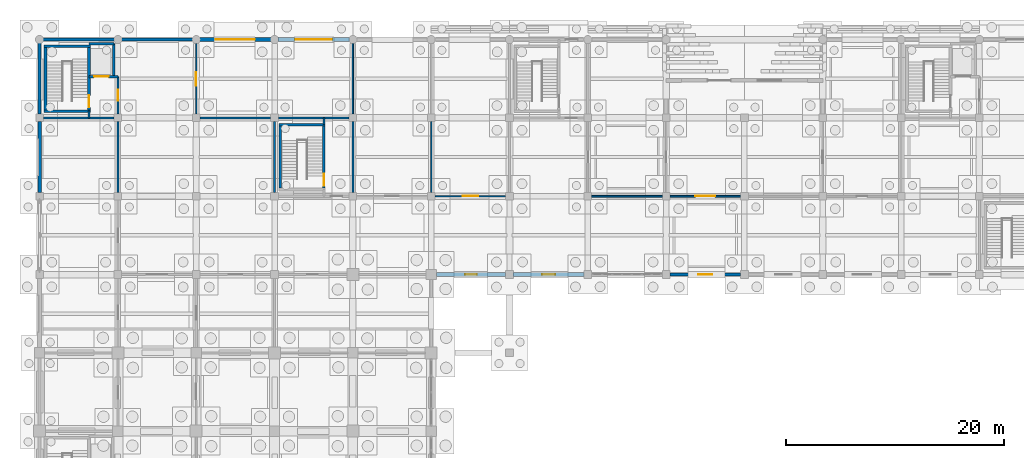
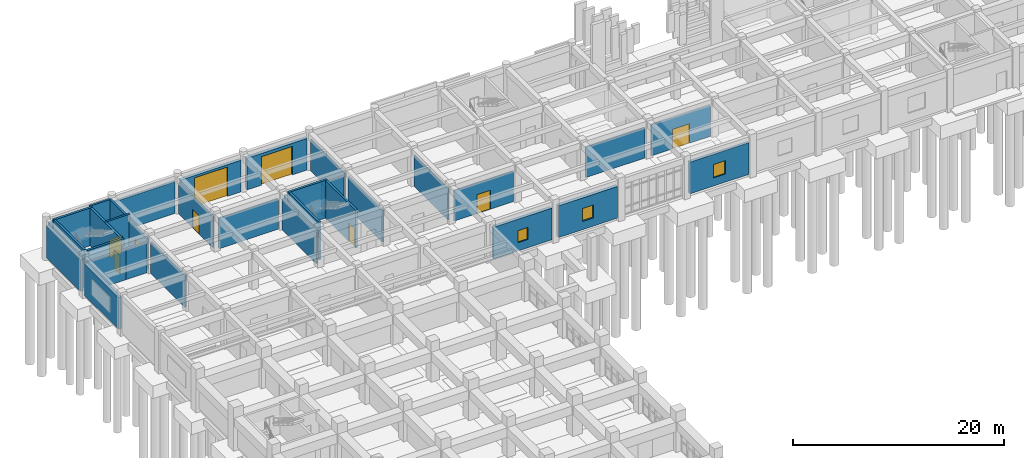
# One storey, part 62 of 79: 36 walls, 9 doors, 3 windows, 12 openings.
"""IFC4 building model written with IfcOpenShell, lengths in metres."""

from ifc_helpers import new_model, si_unit, direction, frame, frame_2d, origin, place, context, subcontext, project, spatial, rectangle, extrude, material, layer, layer_set, type_object, element, fill, save


model = new_model("IFC4")

# Units and contexts
model_context = context("Model", 3, precision=1e-05, world=origin(), true_north=direction((0.0, 1.0)))
body_context = subcontext(model_context, "Body", "Model", "MODEL_VIEW")
ifc_project = project(units=[si_unit("LENGTHUNIT", "METRE"), si_unit("AREAUNIT", "SQUARE_METRE"), si_unit("VOLUMEUNIT", "CUBIC_METRE"), si_unit("PLANEANGLEUNIT", "RADIAN"), si_unit("MASSUNIT", "GRAM", prefix="KILO")], contexts=[model_context])

# Site, building, storey
site_placement = place(None, origin())
site = spatial("IfcSite", under=ifc_project, at=site_placement, CompositionType="ELEMENT")
building_placement = place(site_placement, origin())
building = spatial("IfcBuilding", under=site, at=building_placement, Name="Kavelor Marine Aquarium", CompositionType="ELEMENT")
storey_placement = place(building_placement, origin())
storey = spatial("IfcBuildingStorey", under=building, at=storey_placement, Name="L00", CompositionType="ELEMENT", Elevation=0.0)

# Wall, opening, door
ifc_material_1 = material(Name="Concrete C45/55", Category="concrete")
ifc_layer_1 = layer(ifc_material_1, 0.360107421875)
ifc_layer_set_1 = layer_set([ifc_layer_1], Name="WL-EX1")
wall_type_1 = type_object("IfcWallType", Name="WL-EX1", PredefinedType="STANDARD", material=ifc_layer_set_1)
wall_1_placement = place(storey_placement, frame((25.110107421875, 110.800048828125, 0.0), z_axis=(0.0, 0.0, 1.0), x_axis=(1.0, 0.0, 0.0)))
wall_1 = element("IfcWall", 1, at=wall_1_placement, inside=storey, type_object=wall_type_1, Name="ew:x:L00:03_15", PredefinedType="STANDARD", context=body_context, shape_type="SweptSolid", body=[
    extrude(rectangle(XDim=6.579833984375, YDim=0.360107421875, at=frame_2d((3.2900390625, 0.0))), origin(), (0.0, 0.0, 1.0), 3.669921875),
])
opening_1_placement = place(wall_1_placement, frame((1.590087890625, 0.0, 0.0)))
opening_1 = element("IfcOpeningElement", 2, at=opening_1_placement, cuts=wall_1, Name="Opening SH2", PredefinedType="OPENING", context=body_context, shape_type="SweptSolid", body=[
    extrude(rectangle(XDim=3.39990234375, YDim=3.300048828125, at=frame_2d((1.699951171875, 1.64990234375))), frame((0.0, 0.18994140625, 0.0), z_axis=(0.0, -1.0, 0.0), x_axis=(1.0, 0.0, 0.0)), (0.0, 0.0, 1.0), 0.380107),
])
ifc_material_2 = material(Name="Marine-Grade Anodised Aluminium and Laminated Safety Glass", Category="aluminium")
door_type_1 = type_object("IfcDoorType", Name="DR-SH2", OperationType="NOTDEFINED", PredefinedType="DOOR", material=ifc_material_2)
door_1_placement = place(opening_1_placement, origin())
door_1 = element("IfcDoor", 3, at=door_1_placement, inside=storey, type_object=door_type_1, Name="Husbandry Loading Bay Roller Shutter SH2", OperationType="ROLLINGUP", OverallHeight=3.300048828125, OverallWidth=3.39990234375, PredefinedType="DOOR", context=body_context, shape_type="SweptSolid", body=[
    extrude(rectangle(XDim=3.39990234375, YDim=3.300048828125, at=frame_2d((1.699951171875, 1.64990234375))), frame((0.0, 0.02490234375, 0.0), z_axis=(0.0, -1.0, 0.0), x_axis=(1.0, 0.0, 0.0)), (0.0, 0.0, 1.0), 0.050048828125),
])
fill(opening_1, door_1)

# Wall, opening, window
wall_2_placement = place(storey_placement, frame((53.2548828125, 89.199951171875, 0.0), z_axis=(0.0, 0.0, 1.0), x_axis=(-1.0, 0.0, 0.0)))
wall_2 = element("IfcWall", 4, at=wall_2_placement, inside=storey, type_object=wall_type_1, Name="ew:x:L00:06_12", PredefinedType="STANDARD", context=body_context, shape_type="SweptSolid", body=[
    extrude(rectangle(XDim=6.509765625, YDim=0.360107421875, at=frame_2d((3.2548828125, 0.0))), origin(), (0.0, 0.0, 1.0), 3.669921875),
])
opening_2_placement = place(wall_2_placement, frame((2.655029296875, 0.0, 0.949951171875)))
opening_2 = element("IfcOpeningElement", 5, at=opening_2_placement, cuts=wall_2, Name="Opening W02", PredefinedType="OPENING", context=body_context, shape_type="SweptSolid", body=[
    extrude(rectangle(XDim=1.199951171875, YDim=1.5, at=frame_2d((0.60009765625, 0.75))), frame((0.0, 0.18994140625, 0.0), z_axis=(0.0, -1.0, 0.0), x_axis=(1.0, 0.0, 0.0)), (0.0, 0.0, 1.0), 0.380107),
])
ifc_material_3 = material(Name="Anodised Aluminium Frame with Low-E Double Glazing", Category="aluminium")
window_type_1 = type_object("IfcWindowType", Name="WIN-W02", PartitioningType="SINGLE_PANEL", PredefinedType="WINDOW", material=ifc_material_3)
window_1_placement = place(opening_2_placement, origin())
window_1 = element("IfcWindow", 6, at=window_1_placement, inside=storey, type_object=window_type_1, Name="win:x:L00:06_12", OverallHeight=1.5, OverallWidth=1.199951171875, PartitioningType="SINGLE_PANEL", PredefinedType="WINDOW", context=body_context, shape_type="SweptSolid", body=[
    extrude(rectangle(XDim=1.199951171875, YDim=1.5, at=frame_2d((0.60009765625, 0.75))), frame((0.0, 0.030029296875, 0.0), z_axis=(0.0, -1.0, 0.0), x_axis=(1.0, 0.0, 0.0)), (0.0, 0.0, 1.0), 0.06005859375),
])
fill(opening_2, window_1)

# Wall
ifc_material_4 = material(Name="Concrete C45/55", Category="concrete")
ifc_layer_2 = layer(ifc_material_4, 0.320068359375)
ifc_layer_set_2 = layer_set([ifc_layer_2], Name="WL-EX2")
wall_type_2 = type_object("IfcWallType", Name="WL-EX2", PredefinedType="STANDARD", material=ifc_layer_set_2)
wall_3_placement = place(storey_placement, frame((3.199951171875, 96.7451171875, 0.0), z_axis=(0.0, 0.0, 1.0), x_axis=(0.0, 1.0, 0.0)))
element("IfcWall", 7, at=wall_3_placement, inside=storey, type_object=wall_type_2, Name="ew:y:L00:00_13", PredefinedType="STANDARD", context=body_context, shape_type="SweptSolid", body=[
    extrude(rectangle(XDim=6.509765625, YDim=0.320068359375, at=frame_2d((3.2548828125, 0.0))), origin(), (0.0, 0.0, 1.0), 3.669921875),
])

# Wall, opening, window
ifc_material_5 = material(Name="Concrete C40/50", Category="concrete")
ifc_layer_3 = layer(ifc_material_5, 0.300048828125)
ifc_layer_set_3 = layer_set([ifc_layer_3], Name="WL-EX3")
wall_type_3 = type_object("IfcWallType", Name="WL-EX3", PredefinedType="STANDARD", material=ifc_layer_set_3)
wall_4_placement = place(storey_placement, frame((67.655029296875, 89.199951171875, 0.0), z_axis=(0.0, 0.0, 1.0), x_axis=(-1.0, 0.0, 0.0)))
wall_4 = element("IfcWall", 8, at=wall_4_placement, inside=storey, type_object=wall_type_3, Name="ew:x:L00:08_12", PredefinedType="STANDARD", context=body_context, shape_type="SweptSolid", body=[
    extrude(rectangle(XDim=6.510009765625, YDim=0.300048828125, at=frame_2d((3.2548828125, 0.0))), origin(), (0.0, 0.0, 1.0), 3.669921875),
])
opening_3_placement = place(wall_4_placement, frame((2.60498046875, 0.0, 0.949951171875)))
opening_3 = element("IfcOpeningElement", 9, at=opening_3_placement, cuts=wall_4, Name="Opening W03", PredefinedType="OPENING", context=body_context, shape_type="SweptSolid", body=[
    extrude(rectangle(XDim=1.300048828125, YDim=1.550048828125, at=frame_2d((0.64990234375, 0.77490234375))), frame((0.0, 0.159912109375, 0.0), z_axis=(0.0, -1.0, 0.0), x_axis=(1.0, 0.0, 0.0)), (0.0, 0.0, 1.0), 0.320049),
])
ifc_material_6 = material(Name="Anodised Aluminium Frame with Low-E Double Glazing", Category="aluminium")
window_type_2 = type_object("IfcWindowType", Name="WIN-W03", PartitioningType="SINGLE_PANEL", PredefinedType="WINDOW", material=ifc_material_6)
window_2_placement = place(opening_3_placement, origin())
window_2 = element("IfcWindow", 10, at=window_2_placement, inside=storey, type_object=window_type_2, Name="win:x:L00:08_12", OverallHeight=1.550048828125, OverallWidth=1.300048828125, PartitioningType="SINGLE_PANEL", PredefinedType="WINDOW", context=body_context, shape_type="SweptSolid", body=[
    extrude(rectangle(XDim=1.300048828125, YDim=1.550048828125, at=frame_2d((0.64990234375, 0.77490234375))), frame((0.0, 0.030029296875, 0.0), z_axis=(0.0, -1.0, 0.0), x_axis=(1.0, 0.0, 0.0)), (0.0, 0.0, 1.0), 0.06005859375),
])
fill(opening_3, window_2)

# Walls
wall_5_placement = place(storey_placement, frame((3.199951171875, 103.945068359375, 0.0), z_axis=(0.0, 0.0, 1.0), x_axis=(0.0, 1.0, 0.0)))
element("IfcWall", 11, at=wall_5_placement, inside=storey, type_object=wall_type_3, Name="ew:y:L00:00_14", PredefinedType="STANDARD", context=body_context, shape_type="SweptSolid", body=[
    extrude(rectangle(XDim=6.544921875, YDim=0.300048828125, at=frame_2d((3.2724609375, 0.0))), origin(), (0.0, 0.0, 1.0), 3.669921875),
])
ifc_material_7 = material(Name="Concrete C40/50", Category="concrete")
ifc_layer_4 = layer(ifc_material_7, 0.280029296875)
ifc_layer_set_4 = layer_set([ifc_layer_4], Name="WL-EX4")
wall_type_4 = type_object("IfcWallType", Name="WL-EX4", PredefinedType="STANDARD", material=ifc_layer_set_4)
wall_6_placement = place(storey_placement, frame((3.510009765625, 110.800048828125, 0.0), z_axis=(0.0, 0.0, 1.0), x_axis=(1.0, 0.0, 0.0)))
element("IfcWall", 12, at=wall_6_placement, inside=storey, type_object=wall_type_4, Name="ew:x:L00:00_15", PredefinedType="STANDARD", context=body_context, shape_type="SweptSolid", body=[
    extrude(rectangle(XDim=6.580078125, YDim=0.280029296875, at=frame_2d((3.2900390625, 0.0))), origin(), (0.0, 0.0, 1.0), 3.669921875),
])
ifc_material_8 = material(Name="Concrete C40/50", Category="concrete")
ifc_layer_5 = layer(ifc_material_8, 0.260009765625)
ifc_layer_set_5 = layer_set([ifc_layer_5], Name="WL-EX5")
wall_type_5 = type_object("IfcWallType", Name="WL-EX5", PredefinedType="STANDARD", material=ifc_layer_set_5)
wall_7_placement = place(storey_placement, frame((10.7099609375, 110.800048828125, 0.0), z_axis=(0.0, 0.0, 1.0), x_axis=(1.0, 0.0, 0.0)))
element("IfcWall", 13, at=wall_7_placement, inside=storey, type_object=wall_type_5, Name="ew:x:L00:01_15", PredefinedType="STANDARD", context=body_context, shape_type="SweptSolid", body=[
    extrude(rectangle(XDim=6.580078125, YDim=0.260009765625, at=frame_2d((3.2900390625, 0.0))), origin(), (0.0, 0.0, 1.0), 3.669921875),
])

# Wall, opening, door
ifc_material_9 = material(Name="Concrete C45/55", Category="concrete")
ifc_layer_6 = layer(ifc_material_9, 0.340087890625)
ifc_layer_set_6 = layer_set([ifc_layer_6], Name="WL-EX6")
wall_type_6 = type_object("IfcWallType", Name="WL-EX6", PredefinedType="STANDARD", material=ifc_layer_set_6)
wall_8_placement = place(storey_placement, frame((17.909912109375, 110.800048828125, 0.0), z_axis=(0.0, 0.0, 1.0), x_axis=(1.0, 0.0, 0.0)))
wall_8 = element("IfcWall", 14, at=wall_8_placement, inside=storey, type_object=wall_type_6, Name="ew:x:L00:02_15", PredefinedType="STANDARD", context=body_context, shape_type="SweptSolid", body=[
    extrude(rectangle(XDim=6.580078125, YDim=0.340087890625, at=frame_2d((3.2900390625, 0.0))), origin(), (0.0, 0.0, 1.0), 3.669921875),
])
opening_4_placement = place(wall_8_placement, frame((1.489990234375, 0.0, 0.0)))
opening_4 = element("IfcOpeningElement", 15, at=opening_4_placement, cuts=wall_8, Name="Opening SH1", PredefinedType="OPENING", context=body_context, shape_type="SweptSolid", body=[
    extrude(rectangle(XDim=3.60009765625, YDim=3.39990234375, at=frame_2d((1.800048828125, 1.699951171875))), frame((0.0, 0.179931640625, 0.0), z_axis=(0.0, -1.0, 0.0), x_axis=(1.0, 0.0, 0.0)), (0.0, 0.0, 1.0), 0.360088),
])
ifc_material_10 = material(Name="Marine-Grade Anodised Aluminium and Laminated Safety Glass", Category="aluminium")
door_type_2 = type_object("IfcDoorType", Name="DR-SH1", OperationType="NOTDEFINED", PredefinedType="DOOR", material=ifc_material_10)
door_2_placement = place(opening_4_placement, origin())
door_2 = element("IfcDoor", 16, at=door_2_placement, inside=storey, type_object=door_type_2, Name="Husbandry Loading Bay Roller Shutter SH1", OperationType="ROLLINGUP", OverallHeight=3.39990234375, OverallWidth=3.60009765625, PredefinedType="DOOR", context=body_context, shape_type="SweptSolid", body=[
    extrude(rectangle(XDim=3.60009765625, YDim=3.39990234375, at=frame_2d((1.800048828125, 1.699951171875))), frame((0.0, 0.02490234375, 0.0), z_axis=(0.0, -1.0, 0.0), x_axis=(1.0, 0.0, 0.0)), (0.0, 0.0, 1.0), 0.050048828125),
])
fill(opening_4, door_2)

# Wall, opening, window
wall_9_placement = place(storey_placement, frame((46.054931640625, 89.199951171875, 0.0), z_axis=(0.0, 0.0, 1.0), x_axis=(-1.0, 0.0, 0.0)))
wall_9 = element("IfcWall", 17, at=wall_9_placement, inside=storey, type_object=wall_type_6, Name="ew:x:L00:05_12", PredefinedType="STANDARD", context=body_context, shape_type="SweptSolid", body=[
    extrude(rectangle(XDim=6.385009765625, YDim=0.340087890625, at=frame_2d((3.1923828125, 0.0))), origin(), (0.0, 0.0, 1.0), 3.669921875),
])
opening_5_placement = place(wall_9_placement, frame((2.642578125, 0.0, 0.949951171875)))
opening_5 = element("IfcOpeningElement", 18, at=opening_5_placement, cuts=wall_9, Name="Opening W01", PredefinedType="OPENING", context=body_context, shape_type="SweptSolid", body=[
    extrude(rectangle(XDim=1.10009765625, YDim=1.39990234375, at=frame_2d((0.550048828125, 0.699951171875))), frame((0.0, 0.179931640625, 0.0), z_axis=(0.0, -1.0, 0.0), x_axis=(1.0, 0.0, 0.0)), (0.0, 0.0, 1.0), 0.360088),
])
ifc_material_11 = material(Name="Anodised Aluminium Frame with Low-E Double Glazing", Category="aluminium")
window_type_3 = type_object("IfcWindowType", Name="WIN-W01", PartitioningType="SINGLE_PANEL", PredefinedType="WINDOW", material=ifc_material_11)
window_3_placement = place(opening_5_placement, origin())
window_3 = element("IfcWindow", 19, at=window_3_placement, inside=storey, type_object=window_type_3, Name="win:x:L00:05_12", OverallHeight=1.39990234375, OverallWidth=1.10009765625, PartitioningType="SINGLE_PANEL", PredefinedType="WINDOW", context=body_context, shape_type="SweptSolid", body=[
    extrude(rectangle(XDim=1.10009765625, YDim=1.39990234375, at=frame_2d((0.550048828125, 0.699951171875))), frame((0.0, 0.030029296875, 0.0), z_axis=(0.0, -1.0, 0.0), x_axis=(1.0, 0.0, 0.0)), (0.0, 0.0, 1.0), 0.06005859375),
])
fill(opening_5, window_3)

# Wall
ifc_material_12 = material(Name="Concrete Blockwork Partition", Category="masonry")
ifc_layer_7 = layer(ifc_material_12, 0.199951171875)
ifc_layer_set_7 = layer_set([ifc_layer_7], Name="WL-PT1")
wall_type_7 = type_object("IfcWallType", Name="WL-PT1", PredefinedType="PARTITIONING", material=ifc_layer_set_7)
wall_10_placement = place(storey_placement, frame((7.739990234375, 103.60009765625, 0.0), z_axis=(0.0, 0.0, 1.0), x_axis=(0.0, 1.0, 0.0)))
element("IfcWall", 20, at=wall_10_placement, inside=storey, type_object=wall_type_7, Name="pt:st_close:s:C01:L00", PredefinedType="PARTITIONING", context=body_context, shape_type="SweptSolid", body=[
    extrude(rectangle(XDim=0.619873046875, YDim=0.199951171875, at=frame_2d((0.31005859375, 0.0))), origin(), (0.0, 0.0, 1.0), 3.52001953125),
])

# Wall, opening, door
wall_11_placement = place(storey_placement, frame((10.39990234375, 103.949951171875, 0.0), z_axis=(0.0, 0.0, 1.0), x_axis=(0.0, 1.0, 0.0)))
wall_11 = element("IfcWall", 21, at=wall_11_placement, inside=storey, type_object=wall_type_7, Name="pt:lob:C01:L00:e", PredefinedType="PARTITIONING", context=body_context, shape_type="SweptSolid", body=[
    extrude(rectangle(XDim=3.449951171875, YDim=0.199951171875, at=frame_2d((1.72509765625, 0.0))), origin(), (0.0, 0.0, 1.0), 3.6201171875),
])
opening_6_placement = place(wall_11_placement, frame((1.215087890625, 0.0, 0.0)))
opening_6 = element("IfcOpeningElement", 22, at=opening_6_placement, cuts=wall_11, Name="Opening SD1", PredefinedType="OPENING", context=body_context, shape_type="SweptSolid", body=[
    extrude(rectangle(XDim=1.02001953125, YDim=2.14990234375, at=frame_2d((0.510009765625, 1.074951171875))), frame((0.0, 0.10986328125, 0.0), z_axis=(0.0, -1.0, 0.0), x_axis=(1.0, 0.0, 0.0)), (0.0, 0.0, 1.0), 0.219951),
])
ifc_material_13 = material(Name="Fire-Rated Corridor Compartment Door")
door_type_3 = type_object("IfcDoorType", Name="DR-SD1", OperationType="NOTDEFINED", PredefinedType="DOOR", material=ifc_material_13)
door_3_placement = place(opening_6_placement, origin())
door_3 = element("IfcDoor", 23, at=door_3_placement, inside=storey, type_object=door_type_3, Name="Core Lobby Fire Door C01-L00", OperationType="SINGLE_SWING_RIGHT", OverallHeight=2.14990234375, OverallWidth=1.02001953125, PredefinedType="DOOR", context=body_context, shape_type="SweptSolid", body=[
    extrude(rectangle(XDim=1.02001953125, YDim=2.14990234375, at=frame_2d((0.510009765625, 1.074951171875))), frame((0.0, 0.02490234375, 0.0), z_axis=(0.0, -1.0, 0.0), x_axis=(1.0, 0.0, 0.0)), (0.0, 0.0, 1.0), 0.050048828125),
])
fill(opening_6, door_3)

# Walls
wall_12_placement = place(storey_placement, frame((3.550048828125, 103.60009765625, 0.0), z_axis=(0.0, 0.0, 1.0), x_axis=(1.0, 0.0, 0.0)))
element("IfcWall", 24, at=wall_12_placement, inside=storey, type_object=wall_type_7, Name="pt:lob:C01:L00:s_st", PredefinedType="PARTITIONING", context=body_context, shape_type="SweptSolid", body=[
    extrude(rectangle(XDim=4.18994140625, YDim=0.199951171875, at=frame_2d((2.094970703125, 0.0))), origin(), (0.0, 0.0, 1.0), 3.52001953125),
])
wall_13_placement = place(storey_placement, frame((7.739990234375, 103.60009765625, 0.0), z_axis=(0.0, 0.0, 1.0), x_axis=(1.0, 0.0, 0.0)))
element("IfcWall", 25, at=wall_13_placement, inside=storey, type_object=wall_type_7, Name="pt:lob:C01:L00:s", PredefinedType="PARTITIONING", context=body_context, shape_type="SweptSolid", body=[
    extrude(rectangle(XDim=2.31005859375, YDim=0.199951171875, at=frame_2d((1.155029296875, 0.0))), origin(), (0.0, 0.0, 1.0), 3.52001953125),
])
wall_14_placement = place(storey_placement, frame((29.340087890625, 102.97998046875, 0.0), z_axis=(0.0, 0.0, 1.0), x_axis=(0.0, 1.0, 0.0)))
element("IfcWall", 26, at=wall_14_placement, inside=storey, type_object=wall_type_7, Name="pt:st_close:n:C02:L00", PredefinedType="PARTITIONING", context=body_context, shape_type="SweptSolid", body=[
    extrude(rectangle(XDim=0.6201171875, YDim=0.199951171875, at=frame_2d((0.31005859375, 0.0))), origin(), (0.0, 0.0, 1.0), 3.6201171875),
])
for number, where, z_axis, x_axis, name in (
    (27, (24.800048828125, 96.75, 0.0), (0.0, 0.0, 1.0), (0.0, 1.0, 0.0), "pt:lob:C02:L00:w"),
    (28, (32.0, 96.75, 0.0), (0.0, 0.0, 1.0), (0.0, 1.0, 0.0), "pt:lob:C02:L00:e"),
):
    element("IfcWall", number, at=place(storey_placement, frame(where, z_axis=z_axis, x_axis=x_axis)), inside=storey, type_object=wall_type_7, Name=name, PredefinedType="PARTITIONING", context=body_context, shape_type="SweptSolid", body=[
        extrude(rectangle(XDim=6.5, YDim=0.199951171875, at=frame_2d((3.25, 0.0))), origin(), (0.0, 0.0, 1.0), 3.6201171875),
    ])
wall_15_placement = place(storey_placement, frame((25.14990234375, 103.60009765625, 0.0), z_axis=(0.0, 0.0, 1.0), x_axis=(1.0, 0.0, 0.0)))
element("IfcWall", 29, at=wall_15_placement, inside=storey, type_object=wall_type_7, Name="pt:lob:C02:L00:n_st", PredefinedType="PARTITIONING", context=body_context, shape_type="SweptSolid", body=[
    extrude(rectangle(XDim=4.190185546875, YDim=0.199951171875, at=frame_2d((2.09521484375, 0.0))), origin(), (0.0, 0.0, 1.0), 3.6201171875),
])
wall_16_placement = place(storey_placement, frame((29.340087890625, 103.60009765625, 0.0), z_axis=(0.0, 0.0, 1.0), x_axis=(1.0, 0.0, 0.0)))
element("IfcWall", 30, at=wall_16_placement, inside=storey, type_object=wall_type_7, Name="pt:lob:C02:L00:n", PredefinedType="PARTITIONING", context=body_context, shape_type="SweptSolid", body=[
    extrude(rectangle(XDim=2.309814453125, YDim=0.199951171875, at=frame_2d((1.15478515625, 0.0))), origin(), (0.0, 0.0, 1.0), 3.6201171875),
])
wall_17_placement = place(storey_placement, frame((10.39990234375, 96.75, 0.0), z_axis=(0.0, 0.0, 1.0), x_axis=(0.0, 1.0, 0.0)))
element("IfcWall", 31, at=wall_17_placement, inside=storey, type_object=wall_type_7, Name="pt:y:L00:00_13", PredefinedType="PARTITIONING", context=body_context, shape_type="SweptSolid", body=[
    extrude(rectangle(XDim=6.5, YDim=0.199951171875, at=frame_2d((3.25, 0.0))), origin(), (0.0, 0.0, 1.0), 3.6201171875),
])

# Wall, opening, door
ifc_material_14 = material(Name="Acoustic Gypsum Stud Partition")
ifc_layer_8 = layer(ifc_material_14, 0.159912109375)
ifc_layer_set_8 = layer_set([ifc_layer_8], Name="WL-PT2")
wall_type_8 = type_object("IfcWallType", Name="WL-PT2", PredefinedType="PARTITIONING", material=ifc_layer_set_8)
wall_18_placement = place(storey_placement, frame((17.60009765625, 103.949951171875, 0.0), z_axis=(0.0, 0.0, 1.0), x_axis=(0.0, 1.0, 0.0)))
wall_18 = element("IfcWall", 32, at=wall_18_placement, inside=storey, type_object=wall_type_8, Name="pt:y:L00:01_14", PredefinedType="PARTITIONING", context=body_context, shape_type="SweptSolid", body=[
    extrude(rectangle(XDim=6.47509765625, YDim=0.159912109375, at=frame_2d((3.237548828125, 0.0))), origin(), (0.0, 0.0, 1.0), 3.6201171875),
])
opening_7_placement = place(wall_18_placement, frame((2.62744140625, 0.0, 0.0)))
opening_7 = element("IfcOpeningElement", 33, at=opening_7_placement, cuts=wall_18, Name="Opening D06", PredefinedType="OPENING", context=body_context, shape_type="SweptSolid", body=[
    extrude(rectangle(XDim=1.219970703125, YDim=2.159912109375, at=frame_2d((0.60986328125, 1.080078125))), frame((0.0, 0.08984375, 0.0), z_axis=(0.0, -1.0, 0.0), x_axis=(1.0, 0.0, 0.0)), (0.0, 0.0, 1.0), 0.179912),
])
ifc_material_15 = material(Name="Biosecure Quarantine Plant Room Door")
door_type_4 = type_object("IfcDoorType", Name="DR-D06", OperationType="NOTDEFINED", PredefinedType="DOOR", material=ifc_material_15)
door_4_placement = place(opening_7_placement, origin())
door_4 = element("IfcDoor", 34, at=door_4_placement, inside=storey, type_object=door_type_4, Name="dr:rm:pt:y:L00:01_14:0", OperationType="SINGLE_SWING_LEFT", OverallHeight=2.159912109375, OverallWidth=1.219970703125, PredefinedType="DOOR", context=body_context, shape_type="SweptSolid", body=[
    extrude(rectangle(XDim=1.219970703125, YDim=2.159912109375, at=frame_2d((0.60986328125, 1.080078125))), frame((0.0, 0.02490234375, 0.0), z_axis=(0.0, -1.0, 0.0), x_axis=(1.0, 0.0, 0.0)), (0.0, 0.0, 1.0), 0.050048828125),
])
fill(opening_7, door_4)

# Wall
wall_19_placement = place(storey_placement, frame((17.949951171875, 103.60009765625, 0.0), z_axis=(0.0, 0.0, 1.0), x_axis=(1.0, 0.0, 0.0)))
element("IfcWall", 35, at=wall_19_placement, inside=storey, type_object=wall_type_8, Name="pt:x:L00:02_13", PredefinedType="PARTITIONING", context=body_context, shape_type="SweptSolid", body=[
    extrude(rectangle(XDim=6.5, YDim=0.159912109375, at=frame_2d((3.25, 0.0))), origin(), (0.0, 0.0, 1.0), 3.52001953125),
])

# Wall, opening, door
wall_20_placement = place(storey_placement, frame((39.550048828125, 96.39990234375, 0.0), z_axis=(0.0, 0.0, 1.0), x_axis=(1.0, 0.0, 0.0)))
wall_20 = element("IfcWall", 36, at=wall_20_placement, inside=storey, type_object=wall_type_8, Name="pt:x:L00:05_12", PredefinedType="PARTITIONING", context=body_context, shape_type="SweptSolid", body=[
    extrude(rectangle(XDim=6.5, YDim=0.159912109375, at=frame_2d((3.25, 0.0))), origin(), (0.0, 0.0, 1.0), 3.52001953125),
])
opening_8_placement = place(wall_20_placement, frame((2.530029296875, 0.0, 0.0)))
opening_8 = element("IfcOpeningElement", 37, at=opening_8_placement, cuts=wall_20, Name="Opening D11", PredefinedType="OPENING", context=body_context, shape_type="SweptSolid", body=[
    extrude(rectangle(XDim=1.43994140625, YDim=2.199951171875, at=frame_2d((0.719970703125, 1.10009765625))), frame((0.0, 0.08984375, 0.0), z_axis=(0.0, -1.0, 0.0), x_axis=(1.0, 0.0, 0.0)), (0.0, 0.0, 1.0), 0.179912),
])
ifc_material_16 = material(Name="Seminar Studio Double Door")
door_type_5 = type_object("IfcDoorType", Name="DR-D11", OperationType="NOTDEFINED", PredefinedType="DOOR", material=ifc_material_16)
door_5_placement = place(opening_8_placement, origin())
door_5 = element("IfcDoor", 38, at=door_5_placement, inside=storey, type_object=door_type_5, Name="dr:rm:pt:x:L00:05_12:0", OperationType="DOUBLE_DOOR_SINGLE_SWING", OverallHeight=2.199951171875, OverallWidth=1.43994140625, PredefinedType="DOOR", context=body_context, shape_type="SweptSolid", body=[
    extrude(rectangle(XDim=1.43994140625, YDim=2.199951171875, at=frame_2d((0.719970703125, 1.10009765625))), frame((0.0, 0.02490234375, 0.0), z_axis=(0.0, -1.0, 0.0), x_axis=(1.0, 0.0, 0.0)), (0.0, 0.0, 1.0), 0.050048828125),
])
fill(opening_8, door_5)

# Wall
wall_21_placement = place(storey_placement, frame((53.949951171875, 96.39990234375, 0.0), z_axis=(0.0, 0.0, 1.0), x_axis=(1.0, 0.0, 0.0)))
element("IfcWall", 39, at=wall_21_placement, inside=storey, type_object=wall_type_8, Name="pt:x:L00:07_12", PredefinedType="PARTITIONING", context=body_context, shape_type="SweptSolid", body=[
    extrude(rectangle(XDim=6.5, YDim=0.159912109375, at=frame_2d((3.25, 0.0))), origin(), (0.0, 0.0, 1.0), 3.52001953125),
])

# Wall, opening, door
wall_22_placement = place(storey_placement, frame((61.14990234375, 96.39990234375, 0.0), z_axis=(0.0, 0.0, 1.0), x_axis=(1.0, 0.0, 0.0)))
wall_22 = element("IfcWall", 40, at=wall_22_placement, inside=storey, type_object=wall_type_8, Name="pt:x:L00:08_12", PredefinedType="PARTITIONING", context=body_context, shape_type="SweptSolid", body=[
    extrude(rectangle(XDim=6.5, YDim=0.159912109375, at=frame_2d((3.25, 0.0))), origin(), (0.0, 0.0, 1.0), 3.6201171875),
])
opening_9_placement = place(wall_22_placement, frame((2.320068359375, 0.0, 0.0)))
opening_9 = element("IfcOpeningElement", 41, at=opening_9_placement, cuts=wall_22, Name="Opening D13", PredefinedType="OPENING", context=body_context, shape_type="SweptSolid", body=[
    extrude(rectangle(XDim=1.860107421875, YDim=2.260009765625, at=frame_2d((0.93017578125, 1.1298828125))), frame((0.0, 0.08984375, 0.0), z_axis=(0.0, -1.0, 0.0), x_axis=(1.0, 0.0, 0.0)), (0.0, 0.0, 1.0), 0.179912),
])
ifc_material_17 = material(Name="Main Foyer Exhibition Double Door")
door_type_6 = type_object("IfcDoorType", Name="DR-D13", OperationType="NOTDEFINED", PredefinedType="DOOR", material=ifc_material_17)
door_6_placement = place(opening_9_placement, origin())
door_6 = element("IfcDoor", 42, at=door_6_placement, inside=storey, type_object=door_type_6, Name="dr:rm:pt:x:L00:08_12:0", OperationType="DOUBLE_DOOR_SINGLE_SWING", OverallHeight=2.260009765625, OverallWidth=1.860107421875, PredefinedType="DOOR", context=body_context, shape_type="SweptSolid", body=[
    extrude(rectangle(XDim=1.860107421875, YDim=2.260009765625, at=frame_2d((0.93017578125, 1.1298828125))), frame((0.0, 0.02490234375, 0.0), z_axis=(0.0, -1.0, 0.0), x_axis=(1.0, 0.0, 0.0)), (0.0, 0.0, 1.0), 0.050048828125),
])
fill(opening_9, door_6)

# Walls
ifc_material_18 = material(Name="Lightweight Drywall Partition")
ifc_layer_9 = layer(ifc_material_18, 0.1201171875)
ifc_layer_set_9 = layer_set([ifc_layer_9], Name="WL-PT4")
wall_type_9 = type_object("IfcWallType", Name="WL-PT4", PredefinedType="PARTITIONING", material=ifc_layer_set_9)
wall_23_placement = place(storey_placement, frame((32.0, 103.949951171875, 0.0), z_axis=(0.0, 0.0, 1.0), x_axis=(0.0, 1.0, 0.0)))
element("IfcWall", 43, at=wall_23_placement, inside=storey, type_object=wall_type_9, Name="pt:y:L00:03_14", PredefinedType="PARTITIONING", context=body_context, shape_type="SweptSolid", body=[
    extrude(rectangle(XDim=6.47509765625, YDim=0.1201171875, at=frame_2d((3.237548828125, 0.0))), origin(), (0.0, 0.0, 1.0), 3.6201171875),
])
wall_24_placement = place(storey_placement, frame((39.199951171875, 96.75, 0.0), z_axis=(0.0, 0.0, 1.0), x_axis=(0.0, 1.0, 0.0)))
element("IfcWall", 44, at=wall_24_placement, inside=storey, type_object=wall_type_9, Name="pt:y:L00:04_13", PredefinedType="PARTITIONING", context=body_context, shape_type="SweptSolid", body=[
    extrude(rectangle(XDim=6.5, YDim=0.1201171875, at=frame_2d((3.25, 0.0))), origin(), (0.0, 0.0, 1.0), 3.6201171875),
])
ifc_material_19 = material(Name="Concrete C40/50", Category="concrete")
ifc_layer_10 = layer(ifc_material_19, 0.35009765625)
ifc_layer_set_10 = layer_set([ifc_layer_10], Name="WL-SW2")
wall_type_10 = type_object("IfcWallType", Name="WL-SW2", PredefinedType="SHEAR", material=ifc_layer_set_10)
for number, where, z_axis, x_axis, name in (
    (45, (3.6201171875, 104.219970703125, 0.0), (0.0, 0.0, 1.0), (1.0, 0.0, 0.0), "cw_st:s:C01:L00"),
    (46, (3.6201171875, 110.179931640625, 0.0), (0.0, 0.0, 1.0), (1.0, 0.0, 0.0), "cw_st:n:C01:L00"),
):
    element("IfcWall", number, at=place(storey_placement, frame(where, z_axis=z_axis, x_axis=x_axis)), inside=storey, type_object=wall_type_10, Name=name, PredefinedType="SHEAR", context=body_context, shape_type="SweptSolid", body=[
        extrude(rectangle(XDim=4.239990234375, YDim=0.239990234375, at=frame_2d((2.1201171875, 0.0))), origin(), (0.0, 0.0, 1.0), 4.3798828125),
    ])
wall_25_placement = place(storey_placement, frame((3.739990234375, 104.340087890625, 0.0), z_axis=(0.0, 0.0, 1.0), x_axis=(0.0, 1.0, 0.0)))
element("IfcWall", 47, at=wall_25_placement, inside=storey, type_object=wall_type_10, Name="cw_st:w:C01:L00", PredefinedType="SHEAR", context=body_context, shape_type="SweptSolid", body=[
    extrude(rectangle(XDim=5.719970703125, YDim=0.239990234375, at=frame_2d((2.85986328125, 0.0))), origin(), (0.0, 0.0, 1.0), 4.3798828125),
])

# Wall, opening, door
wall_26_placement = place(storey_placement, frame((7.739990234375, 104.340087890625, 0.0), z_axis=(0.0, 0.0, 1.0), x_axis=(0.0, 1.0, 0.0)))
wall_26 = element("IfcWall", 48, at=wall_26_placement, inside=storey, type_object=wall_type_10, Name="cw_st:e:C01:L00", PredefinedType="SHEAR", context=body_context, shape_type="SweptSolid", body=[
    extrude(rectangle(XDim=5.719970703125, YDim=0.239990234375, at=frame_2d((2.85986328125, 0.0))), origin(), (0.0, 0.0, 1.0), 4.3798828125),
])
opening_10_placement = place(wall_26_placement, frame((0.219970703125, 0.0, 0.0)))
opening_10 = element("IfcOpeningElement", 49, at=opening_10_placement, cuts=wall_26, Name="Opening FD1", PredefinedType="OPENING", context=body_context, shape_type="SweptSolid", body=[
    extrude(rectangle(XDim=1.1201171875, YDim=2.14990234375, at=frame_2d((0.56005859375, 1.074951171875))), frame((0.0, 0.1298828125, 0.0), z_axis=(0.0, -1.0, 0.0), x_axis=(1.0, 0.0, 0.0)), (0.0, 0.0, 1.0), 0.25999),
])
ifc_material_20 = material(Name="Fire-Rated Steel Stair and Core Door", Category="steel")
door_type_7 = type_object("IfcDoorType", Name="DR-FD1", OperationType="NOTDEFINED", PredefinedType="DOOR", material=ifc_material_20)
door_7_placement = place(opening_10_placement, origin())
door_7 = element("IfcDoor", 50, at=door_7_placement, inside=storey, type_object=door_type_7, Name="Stair Fire Door ST01-L00", OperationType="SINGLE_SWING_LEFT", OverallHeight=2.14990234375, OverallWidth=1.1201171875, PredefinedType="DOOR", context=body_context, shape_type="SweptSolid", body=[
    extrude(rectangle(XDim=1.1201171875, YDim=2.14990234375, at=frame_2d((0.56005859375, 1.074951171875))), frame((0.0, 0.02490234375, 0.0), z_axis=(0.0, -1.0, 0.0), x_axis=(1.0, 0.0, 0.0)), (0.0, 0.0, 1.0), 0.050048828125),
])
fill(opening_10, door_7)

wall_27_placement = place(storey_placement, frame((7.739990234375, 107.39990234375, 0.0), z_axis=(0.0, 0.0, 1.0), x_axis=(1.0, 0.0, 0.0)))
wall_27 = element("IfcWall", 51, at=wall_27_placement, inside=storey, type_object=wall_type_10, Name="cw_lf:s:C01:L00", PredefinedType="SHEAR", context=body_context, shape_type="SweptSolid", body=[
    extrude(rectangle(XDim=2.659912109375, YDim=0.219970703125, at=frame_2d((1.330078125, 0.0))), origin(), (0.0, 0.0, 1.0), 4.3798828125),
])
opening_11_placement = place(wall_27_placement, frame((0.472412109375, 0.0, 0.0)))
opening_11 = element("IfcOpeningElement", 52, at=opening_11_placement, cuts=wall_27, Name="Opening LD2", PredefinedType="OPENING", context=body_context, shape_type="SweptSolid", body=[
    extrude(rectangle(XDim=1.340087890625, YDim=2.14990234375, at=frame_2d((0.669921875, 1.074951171875))), frame((0.0, 0.119873046875, 0.0), z_axis=(0.0, -1.0, 0.0), x_axis=(1.0, 0.0, 0.0)), (0.0, 0.0, 1.0), 0.239971),
])
ifc_material_21 = material(Name="Stainless Steel Goods and Stretcher Lift Sliding Door", Category="steel")
door_type_8 = type_object("IfcDoorType", Name="DR-LD2", OperationType="NOTDEFINED", PredefinedType="DOOR", material=ifc_material_21)
door_8_placement = place(opening_11_placement, origin())
door_8 = element("IfcDoor", 53, at=door_8_placement, inside=storey, type_object=door_type_8, Name="Lift Landing Sliding Door GL1-L00", OperationType="DOUBLE_DOOR_SLIDING", OverallHeight=2.14990234375, OverallWidth=1.340087890625, PredefinedType="DOOR", context=body_context, shape_type="SweptSolid", body=[
    extrude(rectangle(XDim=1.340087890625, YDim=2.14990234375, at=frame_2d((0.669921875, 1.074951171875))), frame((0.0, 0.02490234375, 0.0), z_axis=(0.0, -1.0, 0.0), x_axis=(1.0, 0.0, 0.0)), (0.0, 0.0, 1.0), 0.050048828125),
])
fill(opening_11, door_8)

# Walls
wall_28_placement = place(storey_placement, frame((7.739990234375, 110.425048828125, 0.0), z_axis=(0.0, 0.0, 1.0), x_axis=(1.0, 0.0, 0.0)))
element("IfcWall", 54, at=wall_28_placement, inside=storey, type_object=wall_type_10, Name="cw_lf:n:C01:L00", PredefinedType="SHEAR", context=body_context, shape_type="SweptSolid", body=[
    extrude(rectangle(XDim=2.284912109375, YDim=0.219970703125, at=frame_2d((1.142578125, 0.0))), origin(), (0.0, 0.0, 1.0), 4.3798828125),
])
wall_29_placement = place(storey_placement, frame((10.02490234375, 107.39990234375, 0.0), z_axis=(0.0, 0.0, 1.0), x_axis=(0.0, 1.0, 0.0)))
element("IfcWall", 55, at=wall_29_placement, inside=storey, type_object=wall_type_10, Name="cw_lf:e:C01:L00", PredefinedType="SHEAR", context=body_context, shape_type="SweptSolid", body=[
    extrude(rectangle(XDim=3.025146484375, YDim=0.219970703125, at=frame_2d((1.5126953125, 0.0))), origin(), (0.0, 0.0, 1.0), 4.3798828125),
])
wall_30_placement = place(storey_placement, frame((25.219970703125, 102.97998046875, 0.0), z_axis=(0.0, 0.0, 1.0), x_axis=(1.0, 0.0, 0.0)))
element("IfcWall", 56, at=wall_30_placement, inside=storey, type_object=wall_type_10, Name="cw_st:n:C02:L00", PredefinedType="SHEAR", context=body_context, shape_type="SweptSolid", body=[
    extrude(rectangle(XDim=4.239990234375, YDim=0.239990234375, at=frame_2d((2.1201171875, 0.0))), origin(), (0.0, 0.0, 1.0), 4.3798828125),
])
wall_31_placement = place(storey_placement, frame((25.340087890625, 97.139892578125, 0.0), z_axis=(0.0, 0.0, 1.0), x_axis=(0.0, 1.0, 0.0)))
element("IfcWall", 57, at=wall_31_placement, inside=storey, type_object=wall_type_10, Name="cw_st:w:C02:L00", PredefinedType="SHEAR", context=body_context, shape_type="SweptSolid", body=[
    extrude(rectangle(XDim=5.72021484375, YDim=0.239990234375, at=frame_2d((2.860107421875, 0.0))), origin(), (0.0, 0.0, 1.0), 4.3798828125),
])

# Wall, opening, door
wall_32_placement = place(storey_placement, frame((29.340087890625, 97.139892578125, 0.0), z_axis=(0.0, 0.0, 1.0), x_axis=(0.0, 1.0, 0.0)))
wall_32 = element("IfcWall", 58, at=wall_32_placement, inside=storey, type_object=wall_type_10, Name="cw_st:e:C02:L00", PredefinedType="SHEAR", context=body_context, shape_type="SweptSolid", body=[
    extrude(rectangle(XDim=5.72021484375, YDim=0.239990234375, at=frame_2d((2.860107421875, 0.0))), origin(), (0.0, 0.0, 1.0), 4.3798828125),
])
opening_12_placement = place(wall_32_placement, frame((0.219970703125, 0.0, 0.0)))
opening_12 = element("IfcOpeningElement", 59, at=opening_12_placement, cuts=wall_32, Name="Opening FD1", PredefinedType="OPENING", context=body_context, shape_type="SweptSolid", body=[
    extrude(rectangle(XDim=1.1201171875, YDim=2.14990234375, at=frame_2d((0.56005859375, 1.074951171875))), frame((0.0, 0.1298828125, 0.0), z_axis=(0.0, -1.0, 0.0), x_axis=(1.0, 0.0, 0.0)), (0.0, 0.0, 1.0), 0.25999),
])
door_9_placement = place(opening_12_placement, origin())
door_9 = element("IfcDoor", 60, at=door_9_placement, inside=storey, type_object=door_type_7, Name="Stair Fire Door ST02-L00", OperationType="SINGLE_SWING_LEFT", OverallHeight=2.14990234375, OverallWidth=1.1201171875, PredefinedType="DOOR", context=body_context, shape_type="SweptSolid", body=[
    extrude(rectangle(XDim=1.1201171875, YDim=2.14990234375, at=frame_2d((0.56005859375, 1.074951171875))), frame((0.0, 0.02490234375, 0.0), z_axis=(0.0, -1.0, 0.0), x_axis=(1.0, 0.0, 0.0)), (0.0, 0.0, 1.0), 0.050048828125),
])
fill(opening_12, door_9)

save(model, "model.ifc")
